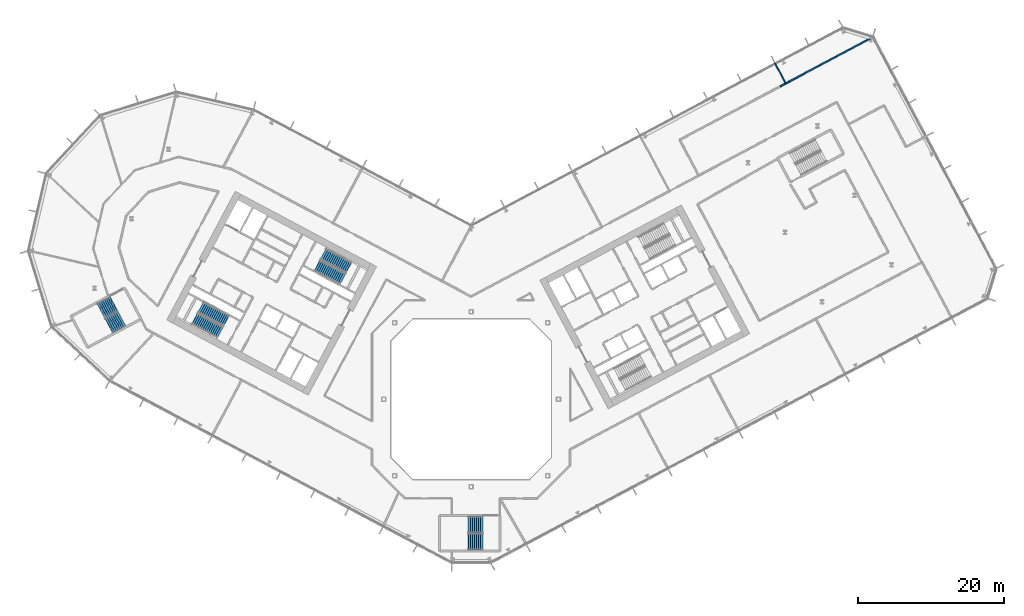
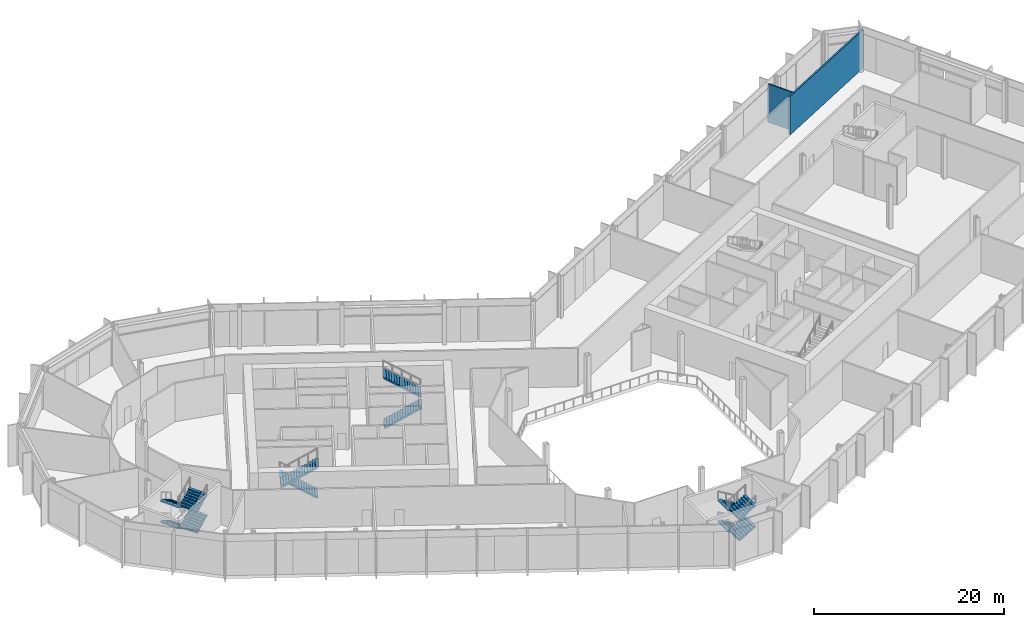
# One storey, part 17 of 31: 12 stair flights, 2 walls, 4 elements without a shape of their own.
"""IFC4 building model written with IfcOpenShell, lengths in metres."""

from ifc_helpers import new_model, si_unit, direction, frame, frame_2d, origin, place, context, subcontext, project, spatial, polyline, rectangle, outline, extrude, material, layer, layer_set, type_object, element, aggregate, save


model = new_model("IFC4")

# Units and contexts
model_context = context("Model", 3, precision=1e-05, world=origin(), true_north=direction((0.0, 1.0)))
body_context = subcontext(model_context, "Body", "Model", "MODEL_VIEW")
ifc_project = project(units=[si_unit("LENGTHUNIT", "METRE"), si_unit("AREAUNIT", "SQUARE_METRE"), si_unit("VOLUMEUNIT", "CUBIC_METRE"), si_unit("PLANEANGLEUNIT", "RADIAN"), si_unit("MASSUNIT", "GRAM", prefix="KILO")], contexts=[model_context])

# Site, building, storey
site_placement = place(None, origin())
site = spatial("IfcSite", under=ifc_project, at=site_placement, CompositionType="ELEMENT")
building_placement = place(site_placement, origin())
building = spatial("IfcBuilding", under=site, at=building_placement, Name="Cormorant Relay Tower", CompositionType="ELEMENT")
storey_placement = place(building_placement, frame((0.0, 0.0, 50.0)))
storey = spatial("IfcBuildingStorey", under=building, at=storey_placement, Name="L09", CompositionType="ELEMENT", Elevation=50.0)

# Walls
ifc_material_1 = material(Name="Fire-rated gypsum board partition")
ifc_layer_1 = layer(ifc_material_1, 0.199951171875)
ifc_layer_set_1 = layer_set([ifc_layer_1], Name="Fire-rated gypsum partition 200")
wall_type_1 = type_object("IfcWallType", Name="Fire-rated gypsum partition 200", PredefinedType="PARTITIONING", material=ifc_layer_set_1)
wall_1_placement = place(storey_placement, frame((42.426025390625, 42.945068359375, 0.0), z_axis=(0.0, 0.0, 1.0), x_axis=(0.882949550604, 0.469467880785, 0.0)))
element("IfcWall", 1, at=wall_1_placement, inside=storey, type_object=wall_type_1, Name="wall/L09/part/70", PredefinedType="PARTITIONING", context=body_context, shape_type="SweptSolid", body=[
    extrude(rectangle(XDim=14.595458984375, YDim=0.199951171875, at=frame_2d((7.2978515625, 0.0))), origin(), (0.0, 0.0, 1.0), 4.949951171875),
])
ifc_material_2 = material(Name="Gypsum board partition")
ifc_layer_2 = layer(ifc_material_2, 0.14990234375)
ifc_layer_set_2 = layer_set([ifc_layer_2], Name="Gypsum board partition 150")
wall_type_2 = type_object("IfcWallType", Name="Gypsum board partition 150", PredefinedType="PARTITIONING", material=ifc_layer_set_2)
wall_2_placement = place(storey_placement, frame((41.68603515625, 46.175048828125, 0.0), z_axis=(0.0, 0.0, 1.0), x_axis=(0.469447181805, -0.882960556025, 0.0)))
element("IfcWall", 2, at=wall_2_placement, inside=storey, type_object=wall_type_2, Name="wall/L09/part/69", PredefinedType="PARTITIONING", context=body_context, shape_type="SweptSolid", body=[
    extrude(rectangle(XDim=3.199462890625, YDim=0.14990234375, at=frame_2d((1.599609375, 0.0))), origin(), (0.0, 0.0, 1.0), 4.949951171875),
])

# Stair, stair flights
ifc_material_3 = material(Name="Concrete 40 MPa", Category="concrete")
stair_type_1 = type_object("IfcStairType", Name="Exit stair 1500", PredefinedType="HALF_TURN_STAIR", material=ifc_material_3)
stair_1_placement = place(storey_placement, origin())
stair_1 = element("IfcStair", 3, at=stair_1_placement, inside=storey, type_object=stair_type_1, Name="L09 Stair", PredefinedType="HALF_TURN_STAIR")
ifc_material_4 = material(Name="Concrete 40 MPa", Category="concrete")
stair_flight_type_1 = type_object("IfcStairFlightType", Name="Exit stair flight 1650", PredefinedType="STRAIGHT", material=ifc_material_4)
stair_flight_1_placement = place(storey_placement, frame((-21.114501953125, 18.33349609375, 0.0), z_axis=(0.0, 0.0, 1.0), x_axis=(0.882947592859, -0.469471562786, 0.0)))
stair_flight_1 = element("IfcStairFlight", 4, at=stair_flight_1_placement, type_object=stair_flight_type_1, Name="A1 flight 1", NumberOfRisers=15, NumberOfTreads=14, PredefinedType="STRAIGHT", RiserHeight=0.18, TreadLength=0.28, context=body_context, shape_type="SweptSolid", body=[
    extrude(outline(polyline([(-0.050048828125, -0.080078125), (-0.050048828125, 0.0), (0.0, 0.0), (0.0, 0.179931640625), (0.280029296875, 0.179931640625), (0.280029296875, 0.360107421875), (0.56005859375, 0.360107421875), (0.56005859375, 0.5400390625), (0.840087890625, 0.5400390625), (0.840087890625, 0.719970703125), (1.1201171875, 0.719970703125), (1.1201171875, 0.89990234375), (1.39990234375, 0.89990234375), (1.39990234375, 1.080078125), (1.679931640625, 1.080078125), (1.679931640625, 1.260009765625), (1.9599609375, 1.260009765625), (1.9599609375, 1.43994140625), (2.239990234375, 1.43994140625), (2.239990234375, 1.6201171875), (2.52001953125, 1.6201171875), (2.52001953125, 1.800048828125), (2.800048828125, 1.800048828125), (2.800048828125, 1.97998046875), (3.080078125, 1.97998046875), (3.080078125, 2.159912109375), (3.360107421875, 2.159912109375), (3.360107421875, 2.340087890625), (3.639892578125, 2.340087890625), (3.639892578125, 2.52001953125), (3.919921875, 2.52001953125), (3.969970703125, 2.52001953125), (3.969970703125, 2.341796875), (3.919921875, 2.341796875), (0.277099609375, 0.0), (-0.050048828125, -0.080078125)])), frame((0.0, 0.824951171875, 0.0), z_axis=(0.0, -1.0, 0.0), x_axis=(1.0, 0.0, 0.0)), (0.0, 0.0, 1.0), 1.64990234375),
])
stair_flight_2_placement = place(storey_placement, frame((-16.80810546875, 18.08251953125, 2.699951171875), z_axis=(0.0, 0.0, 1.0), x_axis=(-0.882947592859, 0.469471562786, 0.0)))
stair_flight_2 = element("IfcStairFlight", 5, at=stair_flight_2_placement, type_object=stair_flight_type_1, Name="A1 flight 2", NumberOfRisers=15, NumberOfTreads=14, PredefinedType="STRAIGHT", RiserHeight=0.18, TreadLength=0.28, context=body_context, shape_type="SweptSolid", body=[
    extrude(outline(polyline([(-0.050048828125, -0.080078125), (-0.050048828125, 0.0), (0.0, 0.0), (0.0, 0.179931640625), (0.280029296875, 0.179931640625), (0.280029296875, 0.360107421875), (0.56005859375, 0.360107421875), (0.56005859375, 0.5400390625), (0.840087890625, 0.5400390625), (0.840087890625, 0.719970703125), (1.1201171875, 0.719970703125), (1.1201171875, 0.89990234375), (1.39990234375, 0.89990234375), (1.39990234375, 1.080078125), (1.679931640625, 1.080078125), (1.679931640625, 1.260009765625), (1.9599609375, 1.260009765625), (1.9599609375, 1.43994140625), (2.239990234375, 1.43994140625), (2.239990234375, 1.6201171875), (2.52001953125, 1.6201171875), (2.52001953125, 1.800048828125), (2.800048828125, 1.800048828125), (2.800048828125, 1.97998046875), (3.080078125, 1.97998046875), (3.080078125, 2.159912109375), (3.360107421875, 2.159912109375), (3.360107421875, 2.340087890625), (3.639892578125, 2.340087890625), (3.639892578125, 2.52001953125), (3.919921875, 2.52001953125), (3.969970703125, 2.52001953125), (3.969970703125, 2.341796875), (3.919921875, 2.341796875), (0.277099609375, 0.0), (-0.050048828125, -0.080078125)])), frame((0.0, 0.824951171875, 0.0), z_axis=(0.0, -1.0, 0.0), x_axis=(1.0, 0.0, 0.0)), (0.0, 0.0, 1.0), 1.64990234375),
])
aggregate(stair_1, [stair_flight_1, stair_flight_2])

stair_2_placement = place(storey_placement, origin())
stair_2 = element("IfcStair", 6, at=stair_2_placement, inside=storey, type_object=stair_type_1, Name="L09 Stair", PredefinedType="HALF_TURN_STAIR")
stair_flight_3_placement = place(storey_placement, frame((-33.62841796875, 10.773681640625, 0.0), z_axis=(0.0, 0.0, 1.0), x_axis=(-0.882947592859, 0.469471562786, 0.0)))
stair_flight_3 = element("IfcStairFlight", 7, at=stair_flight_3_placement, type_object=stair_flight_type_1, Name="A2 flight 1", NumberOfRisers=15, NumberOfTreads=14, PredefinedType="STRAIGHT", RiserHeight=0.18, TreadLength=0.28, context=body_context, shape_type="SweptSolid", body=[
    extrude(outline(polyline([(-0.050048828125, -0.080078125), (-0.050048828125, 0.0), (0.0, 0.0), (0.0, 0.179931640625), (0.280029296875, 0.179931640625), (0.280029296875, 0.360107421875), (0.56005859375, 0.360107421875), (0.56005859375, 0.5400390625), (0.840087890625, 0.5400390625), (0.840087890625, 0.719970703125), (1.1201171875, 0.719970703125), (1.1201171875, 0.89990234375), (1.39990234375, 0.89990234375), (1.39990234375, 1.080078125), (1.679931640625, 1.080078125), (1.679931640625, 1.260009765625), (1.9599609375, 1.260009765625), (1.9599609375, 1.43994140625), (2.239990234375, 1.43994140625), (2.239990234375, 1.6201171875), (2.52001953125, 1.6201171875), (2.52001953125, 1.800048828125), (2.800048828125, 1.800048828125), (2.800048828125, 1.97998046875), (3.080078125, 1.97998046875), (3.080078125, 2.159912109375), (3.360107421875, 2.159912109375), (3.360107421875, 2.340087890625), (3.639892578125, 2.340087890625), (3.639892578125, 2.52001953125), (3.919921875, 2.52001953125), (3.969970703125, 2.52001953125), (3.969970703125, 2.341796875), (3.919921875, 2.341796875), (0.277099609375, 0.0), (-0.050048828125, -0.080078125)])), frame((0.0, 0.824951171875, 0.0), z_axis=(0.0, -1.0, 0.0), x_axis=(1.0, 0.0, 0.0)), (0.0, 0.0, 1.0), 1.64990234375),
])
stair_flight_4_placement = place(storey_placement, frame((-37.9345703125, 11.024658203125, 2.699951171875), z_axis=(0.0, 0.0, 1.0), x_axis=(0.882947592859, -0.469471562786, 0.0)))
stair_flight_4 = element("IfcStairFlight", 8, at=stair_flight_4_placement, type_object=stair_flight_type_1, Name="A2 flight 2", NumberOfRisers=15, NumberOfTreads=14, PredefinedType="STRAIGHT", RiserHeight=0.18, TreadLength=0.28, context=body_context, shape_type="SweptSolid", body=[
    extrude(outline(polyline([(-0.050048828125, -0.080078125), (-0.050048828125, 0.0), (0.0, 0.0), (0.0, 0.179931640625), (0.280029296875, 0.179931640625), (0.280029296875, 0.360107421875), (0.56005859375, 0.360107421875), (0.56005859375, 0.5400390625), (0.840087890625, 0.5400390625), (0.840087890625, 0.719970703125), (1.1201171875, 0.719970703125), (1.1201171875, 0.89990234375), (1.39990234375, 0.89990234375), (1.39990234375, 1.080078125), (1.679931640625, 1.080078125), (1.679931640625, 1.260009765625), (1.9599609375, 1.260009765625), (1.9599609375, 1.43994140625), (2.239990234375, 1.43994140625), (2.239990234375, 1.6201171875), (2.52001953125, 1.6201171875), (2.52001953125, 1.800048828125), (2.800048828125, 1.800048828125), (2.800048828125, 1.97998046875), (3.080078125, 1.97998046875), (3.080078125, 2.159912109375), (3.360107421875, 2.159912109375), (3.360107421875, 2.340087890625), (3.639892578125, 2.340087890625), (3.639892578125, 2.52001953125), (3.919921875, 2.52001953125), (3.969970703125, 2.52001953125), (3.969970703125, 2.341796875), (3.919921875, 2.341796875), (0.277099609375, 0.0), (-0.050048828125, -0.080078125)])), frame((0.0, 0.824951171875, 0.0), z_axis=(0.0, -1.0, 0.0), x_axis=(1.0, 0.0, 0.0)), (0.0, 0.0, 1.0), 1.64990234375),
])
aggregate(stair_2, [stair_flight_3, stair_flight_4])

ifc_material_5 = material(Name="Concrete 40 MPa", Category="concrete")
stair_type_2 = type_object("IfcStairType", Name="Remote exit stair 2200", PredefinedType="HALF_TURN_STAIR", material=ifc_material_5)
stair_3_placement = place(storey_placement, origin())
stair_3 = element("IfcStair", 9, at=stair_3_placement, inside=storey, type_object=stair_type_2, Name="L09 Stair", PredefinedType="HALF_TURN_STAIR")
ifc_material_6 = material(Name="Concrete 40 MPa", Category="concrete")
stair_flight_type_2 = type_object("IfcStairFlightType", Name="Remote exit stair flight 2200", PredefinedType="STRAIGHT", material=ifc_material_6)
stair_flight_5_placement = place(storey_placement, frame((1.60009765625, -17.22509765625, 0.0), z_axis=(0.0, 0.0, 1.0), x_axis=(-1.0, 0.0, 0.0)))
stair_flight_5 = element("IfcStairFlight", 10, at=stair_flight_5_placement, type_object=stair_flight_type_2, Name="RK1 flight 1", NumberOfRisers=8, NumberOfTreads=7, PredefinedType="STRAIGHT", RiserHeight=0.16875, TreadLength=0.28, context=body_context, shape_type="SweptSolid", body=[
    extrude(outline(polyline([(-0.050048828125, -0.080078125), (-0.050048828125, 0.0), (0.0, 0.0), (0.0, 0.168701171875), (0.280029296875, 0.168701171875), (0.280029296875, 0.33740234375), (0.56005859375, 0.33740234375), (0.56005859375, 0.50634765625), (0.840087890625, 0.50634765625), (0.840087890625, 0.675048828125), (1.1201171875, 0.675048828125), (1.1201171875, 0.84375), (1.39990234375, 0.84375), (1.39990234375, 1.012451171875), (1.679931640625, 1.012451171875), (1.679931640625, 1.18115234375), (1.9599609375, 1.18115234375), (2.010009765625, 1.18115234375), (2.010009765625, 1.00634765625), (1.9599609375, 1.00634765625), (0.29052734375, 0.0), (-0.050048828125, -0.080078125)])), frame((0.0, 1.10009765625, 0.0), z_axis=(0.0, -1.0, 0.0), x_axis=(1.0, 0.0, 0.0)), (0.0, 0.0, 1.0), 0.719970703125),
    extrude(outline(polyline([(-0.050048828125, -0.080078125), (-0.050048828125, 0.0), (0.0, 0.0), (0.0, 0.168701171875), (0.280029296875, 0.168701171875), (0.280029296875, 0.33740234375), (0.56005859375, 0.33740234375), (0.56005859375, 0.50634765625), (0.840087890625, 0.50634765625), (0.840087890625, 0.675048828125), (1.1201171875, 0.675048828125), (1.1201171875, 0.84375), (1.39990234375, 0.84375), (1.39990234375, 1.012451171875), (1.679931640625, 1.012451171875), (1.679931640625, 1.18115234375), (1.9599609375, 1.18115234375), (2.010009765625, 1.18115234375), (2.010009765625, 1.00634765625), (1.9599609375, 1.00634765625), (0.29052734375, 0.0), (-0.050048828125, -0.080078125)])), frame((0.0, 0.360107421875, 0.0), z_axis=(0.0, -1.0, 0.0), x_axis=(1.0, 0.0, 0.0)), (0.0, 0.0, 1.0), 0.719970703125),
    extrude(outline(polyline([(-0.050048828125, -0.080078125), (-0.050048828125, 0.0), (0.0, 0.0), (0.0, 0.168701171875), (0.280029296875, 0.168701171875), (0.280029296875, 0.33740234375), (0.56005859375, 0.33740234375), (0.56005859375, 0.50634765625), (0.840087890625, 0.50634765625), (0.840087890625, 0.675048828125), (1.1201171875, 0.675048828125), (1.1201171875, 0.84375), (1.39990234375, 0.84375), (1.39990234375, 1.012451171875), (1.679931640625, 1.012451171875), (1.679931640625, 1.18115234375), (1.9599609375, 1.18115234375), (2.010009765625, 1.18115234375), (2.010009765625, 1.00634765625), (1.9599609375, 1.00634765625), (0.29052734375, 0.0), (-0.050048828125, -0.080078125)])), frame((0.0, -0.3798828125, 0.0), z_axis=(0.0, -1.0, 0.0), x_axis=(1.0, 0.0, 0.0)), (0.0, 0.0, 1.0), 0.719970703125),
])
stair_flight_6_placement = place(storey_placement, frame((-0.360107421875, -19.574951171875, 1.35009765625), z_axis=(0.0, 0.0, 1.0), x_axis=(1.0, 0.0, 0.0)))
stair_flight_6 = element("IfcStairFlight", 11, at=stair_flight_6_placement, type_object=stair_flight_type_2, Name="RK1 flight 2", NumberOfRisers=8, NumberOfTreads=7, PredefinedType="STRAIGHT", RiserHeight=0.16875, TreadLength=0.28, context=body_context, shape_type="SweptSolid", body=[
    extrude(outline(polyline([(-0.050048828125, -0.080078125), (-0.050048828125, 0.0), (0.0, 0.0), (0.0, 0.168701171875), (0.280029296875, 0.168701171875), (0.280029296875, 0.33740234375), (0.56005859375, 0.33740234375), (0.56005859375, 0.50634765625), (0.840087890625, 0.50634765625), (0.840087890625, 0.675048828125), (1.1201171875, 0.675048828125), (1.1201171875, 0.84375), (1.39990234375, 0.84375), (1.39990234375, 1.012451171875), (1.679931640625, 1.012451171875), (1.679931640625, 1.18115234375), (1.9599609375, 1.18115234375), (2.010009765625, 1.18115234375), (2.010009765625, 1.00634765625), (1.9599609375, 1.00634765625), (0.29052734375, 0.0), (-0.050048828125, -0.080078125)])), frame((0.0, 1.10009765625, 0.0), z_axis=(0.0, -1.0, 0.0), x_axis=(1.0, 0.0, 0.0)), (0.0, 0.0, 1.0), 0.719970703125),
    extrude(outline(polyline([(-0.050048828125, -0.080078125), (-0.050048828125, 0.0), (0.0, 0.0), (0.0, 0.168701171875), (0.280029296875, 0.168701171875), (0.280029296875, 0.33740234375), (0.56005859375, 0.33740234375), (0.56005859375, 0.50634765625), (0.840087890625, 0.50634765625), (0.840087890625, 0.675048828125), (1.1201171875, 0.675048828125), (1.1201171875, 0.84375), (1.39990234375, 0.84375), (1.39990234375, 1.012451171875), (1.679931640625, 1.012451171875), (1.679931640625, 1.18115234375), (1.9599609375, 1.18115234375), (2.010009765625, 1.18115234375), (2.010009765625, 1.00634765625), (1.9599609375, 1.00634765625), (0.29052734375, 0.0), (-0.050048828125, -0.080078125)])), frame((0.0, 0.360107421875, 0.0), z_axis=(0.0, -1.0, 0.0), x_axis=(1.0, 0.0, 0.0)), (0.0, 0.0, 1.0), 0.719970703125),
    extrude(outline(polyline([(-0.050048828125, -0.080078125), (-0.050048828125, 0.0), (0.0, 0.0), (0.0, 0.168701171875), (0.280029296875, 0.168701171875), (0.280029296875, 0.33740234375), (0.56005859375, 0.33740234375), (0.56005859375, 0.50634765625), (0.840087890625, 0.50634765625), (0.840087890625, 0.675048828125), (1.1201171875, 0.675048828125), (1.1201171875, 0.84375), (1.39990234375, 0.84375), (1.39990234375, 1.012451171875), (1.679931640625, 1.012451171875), (1.679931640625, 1.18115234375), (1.9599609375, 1.18115234375), (2.010009765625, 1.18115234375), (2.010009765625, 1.00634765625), (1.9599609375, 1.00634765625), (0.29052734375, 0.0), (-0.050048828125, -0.080078125)])), frame((0.0, -0.3798828125, 0.0), z_axis=(0.0, -1.0, 0.0), x_axis=(1.0, 0.0, 0.0)), (0.0, 0.0, 1.0), 0.719970703125),
])
stair_flight_7_placement = place(storey_placement, frame((1.60009765625, -17.22509765625, 2.699951171875), z_axis=(0.0, 0.0, 1.0), x_axis=(-1.0, 0.0, 0.0)))
stair_flight_7 = element("IfcStairFlight", 12, at=stair_flight_7_placement, type_object=stair_flight_type_2, Name="RK1 flight 3", NumberOfRisers=8, NumberOfTreads=7, PredefinedType="STRAIGHT", RiserHeight=0.16875, TreadLength=0.28, context=body_context, shape_type="SweptSolid", body=[
    extrude(outline(polyline([(-0.050048828125, -0.080078125), (-0.050048828125, 0.0), (0.0, 0.0), (0.0, 0.168701171875), (0.280029296875, 0.168701171875), (0.280029296875, 0.33740234375), (0.56005859375, 0.33740234375), (0.56005859375, 0.50634765625), (0.840087890625, 0.50634765625), (0.840087890625, 0.675048828125), (1.1201171875, 0.675048828125), (1.1201171875, 0.84375), (1.39990234375, 0.84375), (1.39990234375, 1.012451171875), (1.679931640625, 1.012451171875), (1.679931640625, 1.18115234375), (1.9599609375, 1.18115234375), (2.010009765625, 1.18115234375), (2.010009765625, 1.00634765625), (1.9599609375, 1.00634765625), (0.29052734375, 0.0), (-0.050048828125, -0.080078125)])), frame((0.0, 1.10009765625, 0.0), z_axis=(0.0, -1.0, 0.0), x_axis=(1.0, 0.0, 0.0)), (0.0, 0.0, 1.0), 0.719970703125),
    extrude(outline(polyline([(-0.050048828125, -0.080078125), (-0.050048828125, 0.0), (0.0, 0.0), (0.0, 0.168701171875), (0.280029296875, 0.168701171875), (0.280029296875, 0.33740234375), (0.56005859375, 0.33740234375), (0.56005859375, 0.50634765625), (0.840087890625, 0.50634765625), (0.840087890625, 0.675048828125), (1.1201171875, 0.675048828125), (1.1201171875, 0.84375), (1.39990234375, 0.84375), (1.39990234375, 1.012451171875), (1.679931640625, 1.012451171875), (1.679931640625, 1.18115234375), (1.9599609375, 1.18115234375), (2.010009765625, 1.18115234375), (2.010009765625, 1.00634765625), (1.9599609375, 1.00634765625), (0.29052734375, 0.0), (-0.050048828125, -0.080078125)])), frame((0.0, 0.360107421875, 0.0), z_axis=(0.0, -1.0, 0.0), x_axis=(1.0, 0.0, 0.0)), (0.0, 0.0, 1.0), 0.719970703125),
    extrude(outline(polyline([(-0.050048828125, -0.080078125), (-0.050048828125, 0.0), (0.0, 0.0), (0.0, 0.168701171875), (0.280029296875, 0.168701171875), (0.280029296875, 0.33740234375), (0.56005859375, 0.33740234375), (0.56005859375, 0.50634765625), (0.840087890625, 0.50634765625), (0.840087890625, 0.675048828125), (1.1201171875, 0.675048828125), (1.1201171875, 0.84375), (1.39990234375, 0.84375), (1.39990234375, 1.012451171875), (1.679931640625, 1.012451171875), (1.679931640625, 1.18115234375), (1.9599609375, 1.18115234375), (2.010009765625, 1.18115234375), (2.010009765625, 1.00634765625), (1.9599609375, 1.00634765625), (0.29052734375, 0.0), (-0.050048828125, -0.080078125)])), frame((0.0, -0.3798828125, 0.0), z_axis=(0.0, -1.0, 0.0), x_axis=(1.0, 0.0, 0.0)), (0.0, 0.0, 1.0), 0.719970703125),
])
stair_flight_8_placement = place(storey_placement, frame((-0.360107421875, -19.574951171875, 4.050048828125), z_axis=(0.0, 0.0, 1.0), x_axis=(1.0, 0.0, 0.0)))
stair_flight_8 = element("IfcStairFlight", 13, at=stair_flight_8_placement, type_object=stair_flight_type_2, Name="RK1 flight 4", NumberOfRisers=8, NumberOfTreads=7, PredefinedType="STRAIGHT", RiserHeight=0.16875, TreadLength=0.28, context=body_context, shape_type="SweptSolid", body=[
    extrude(outline(polyline([(-0.050048828125, -0.080078125), (-0.050048828125, 0.0), (0.0, 0.0), (0.0, 0.168701171875), (0.280029296875, 0.168701171875), (0.280029296875, 0.33740234375), (0.56005859375, 0.33740234375), (0.56005859375, 0.50634765625), (0.840087890625, 0.50634765625), (0.840087890625, 0.675048828125), (1.1201171875, 0.675048828125), (1.1201171875, 0.84375), (1.39990234375, 0.84375), (1.39990234375, 1.012451171875), (1.679931640625, 1.012451171875), (1.679931640625, 1.18115234375), (1.9599609375, 1.18115234375), (2.010009765625, 1.18115234375), (2.010009765625, 1.00634765625), (1.9599609375, 1.00634765625), (0.29052734375, 0.0), (-0.050048828125, -0.080078125)])), frame((0.0, 1.10009765625, 0.0), z_axis=(0.0, -1.0, 0.0), x_axis=(1.0, 0.0, 0.0)), (0.0, 0.0, 1.0), 0.719970703125),
    extrude(outline(polyline([(-0.050048828125, -0.080078125), (-0.050048828125, 0.0), (0.0, 0.0), (0.0, 0.168701171875), (0.280029296875, 0.168701171875), (0.280029296875, 0.33740234375), (0.56005859375, 0.33740234375), (0.56005859375, 0.50634765625), (0.840087890625, 0.50634765625), (0.840087890625, 0.675048828125), (1.1201171875, 0.675048828125), (1.1201171875, 0.84375), (1.39990234375, 0.84375), (1.39990234375, 1.012451171875), (1.679931640625, 1.012451171875), (1.679931640625, 1.18115234375), (1.9599609375, 1.18115234375), (2.010009765625, 1.18115234375), (2.010009765625, 1.00634765625), (1.9599609375, 1.00634765625), (0.29052734375, 0.0), (-0.050048828125, -0.080078125)])), frame((0.0, 0.360107421875, 0.0), z_axis=(0.0, -1.0, 0.0), x_axis=(1.0, 0.0, 0.0)), (0.0, 0.0, 1.0), 0.719970703125),
    extrude(outline(polyline([(-0.050048828125, -0.080078125), (-0.050048828125, 0.0), (0.0, 0.0), (0.0, 0.168701171875), (0.280029296875, 0.168701171875), (0.280029296875, 0.33740234375), (0.56005859375, 0.33740234375), (0.56005859375, 0.50634765625), (0.840087890625, 0.50634765625), (0.840087890625, 0.675048828125), (1.1201171875, 0.675048828125), (1.1201171875, 0.84375), (1.39990234375, 0.84375), (1.39990234375, 1.012451171875), (1.679931640625, 1.012451171875), (1.679931640625, 1.18115234375), (1.9599609375, 1.18115234375), (2.010009765625, 1.18115234375), (2.010009765625, 1.00634765625), (1.9599609375, 1.00634765625), (0.29052734375, 0.0), (-0.050048828125, -0.080078125)])), frame((0.0, -0.3798828125, 0.0), z_axis=(0.0, -1.0, 0.0), x_axis=(1.0, 0.0, 0.0)), (0.0, 0.0, 1.0), 0.719970703125),
])
aggregate(stair_3, [stair_flight_5, stair_flight_6, stair_flight_7, stair_flight_8])

stair_4_placement = place(storey_placement, origin())
stair_4 = element("IfcStair", 14, at=stair_4_placement, inside=storey, type_object=stair_type_2, Name="L09 Stair", PredefinedType="HALF_TURN_STAIR")
stair_flight_9_placement = place(storey_placement, frame((-49.062255859375, 13.08251953125, 0.0), z_axis=(0.0, 0.0, 1.0), x_axis=(-0.882947502727, -0.4694717323, 0.0)))
stair_flight_9 = element("IfcStairFlight", 15, at=stair_flight_9_placement, type_object=stair_flight_type_2, Name="RP1 flight 1", NumberOfRisers=8, NumberOfTreads=7, PredefinedType="STRAIGHT", RiserHeight=0.16875, TreadLength=0.28, context=body_context, shape_type="SweptSolid", body=[
    extrude(outline(polyline([(-0.050048828125, -0.080078125), (-0.050048828125, 0.0), (0.0, 0.0), (0.0, 0.168701171875), (0.280029296875, 0.168701171875), (0.280029296875, 0.33740234375), (0.56005859375, 0.33740234375), (0.56005859375, 0.50634765625), (0.840087890625, 0.50634765625), (0.840087890625, 0.675048828125), (1.1201171875, 0.675048828125), (1.1201171875, 0.84375), (1.39990234375, 0.84375), (1.39990234375, 1.012451171875), (1.679931640625, 1.012451171875), (1.679931640625, 1.18115234375), (1.9599609375, 1.18115234375), (2.010009765625, 1.18115234375), (2.010009765625, 1.00634765625), (1.9599609375, 1.00634765625), (0.29052734375, 0.0), (-0.050048828125, -0.080078125)])), frame((0.0, 1.10009765625, 0.0), z_axis=(0.0, -1.0, 0.0), x_axis=(1.0, 0.0, 0.0)), (0.0, 0.0, 1.0), 0.719970703125),
    extrude(outline(polyline([(-0.050048828125, -0.080078125), (-0.050048828125, 0.0), (0.0, 0.0), (0.0, 0.168701171875), (0.280029296875, 0.168701171875), (0.280029296875, 0.33740234375), (0.56005859375, 0.33740234375), (0.56005859375, 0.50634765625), (0.840087890625, 0.50634765625), (0.840087890625, 0.675048828125), (1.1201171875, 0.675048828125), (1.1201171875, 0.84375), (1.39990234375, 0.84375), (1.39990234375, 1.012451171875), (1.679931640625, 1.012451171875), (1.679931640625, 1.18115234375), (1.9599609375, 1.18115234375), (2.010009765625, 1.18115234375), (2.010009765625, 1.00634765625), (1.9599609375, 1.00634765625), (0.29052734375, 0.0), (-0.050048828125, -0.080078125)])), frame((0.0, 0.360107421875, 0.0), z_axis=(0.0, -1.0, 0.0), x_axis=(1.0, 0.0, 0.0)), (0.0, 0.0, 1.0), 0.719970703125),
    extrude(outline(polyline([(-0.050048828125, -0.080078125), (-0.050048828125, 0.0), (0.0, 0.0), (0.0, 0.168701171875), (0.280029296875, 0.168701171875), (0.280029296875, 0.33740234375), (0.56005859375, 0.33740234375), (0.56005859375, 0.50634765625), (0.840087890625, 0.50634765625), (0.840087890625, 0.675048828125), (1.1201171875, 0.675048828125), (1.1201171875, 0.84375), (1.39990234375, 0.84375), (1.39990234375, 1.012451171875), (1.679931640625, 1.012451171875), (1.679931640625, 1.18115234375), (1.9599609375, 1.18115234375), (2.010009765625, 1.18115234375), (2.010009765625, 1.00634765625), (1.9599609375, 1.00634765625), (0.29052734375, 0.0), (-0.050048828125, -0.080078125)])), frame((0.0, -0.3798828125, 0.0), z_axis=(0.0, -1.0, 0.0), x_axis=(1.0, 0.0, 0.0)), (0.0, 0.0, 1.0), 0.719970703125),
])
stair_flight_10_placement = place(storey_placement, frame((-49.689697265625, 10.08740234375, 1.35009765625), z_axis=(0.0, 0.0, 1.0), x_axis=(0.882947502727, 0.4694717323, 0.0)))
stair_flight_10 = element("IfcStairFlight", 16, at=stair_flight_10_placement, type_object=stair_flight_type_2, Name="RP1 flight 2", NumberOfRisers=8, NumberOfTreads=7, PredefinedType="STRAIGHT", RiserHeight=0.16875, TreadLength=0.28, context=body_context, shape_type="SweptSolid", body=[
    extrude(outline(polyline([(-0.050048828125, -0.080078125), (-0.050048828125, 0.0), (0.0, 0.0), (0.0, 0.168701171875), (0.280029296875, 0.168701171875), (0.280029296875, 0.33740234375), (0.56005859375, 0.33740234375), (0.56005859375, 0.50634765625), (0.840087890625, 0.50634765625), (0.840087890625, 0.675048828125), (1.1201171875, 0.675048828125), (1.1201171875, 0.84375), (1.39990234375, 0.84375), (1.39990234375, 1.012451171875), (1.679931640625, 1.012451171875), (1.679931640625, 1.18115234375), (1.9599609375, 1.18115234375), (2.010009765625, 1.18115234375), (2.010009765625, 1.00634765625), (1.9599609375, 1.00634765625), (0.29052734375, 0.0), (-0.050048828125, -0.080078125)])), frame((0.0, 1.10009765625, 0.0), z_axis=(0.0, -1.0, 0.0), x_axis=(1.0, 0.0, 0.0)), (0.0, 0.0, 1.0), 0.719970703125),
    extrude(outline(polyline([(-0.050048828125, -0.080078125), (-0.050048828125, 0.0), (0.0, 0.0), (0.0, 0.168701171875), (0.280029296875, 0.168701171875), (0.280029296875, 0.33740234375), (0.56005859375, 0.33740234375), (0.56005859375, 0.50634765625), (0.840087890625, 0.50634765625), (0.840087890625, 0.675048828125), (1.1201171875, 0.675048828125), (1.1201171875, 0.84375), (1.39990234375, 0.84375), (1.39990234375, 1.012451171875), (1.679931640625, 1.012451171875), (1.679931640625, 1.18115234375), (1.9599609375, 1.18115234375), (2.010009765625, 1.18115234375), (2.010009765625, 1.00634765625), (1.9599609375, 1.00634765625), (0.29052734375, 0.0), (-0.050048828125, -0.080078125)])), frame((0.0, 0.360107421875, 0.0), z_axis=(0.0, -1.0, 0.0), x_axis=(1.0, 0.0, 0.0)), (0.0, 0.0, 1.0), 0.719970703125),
    extrude(outline(polyline([(-0.050048828125, -0.080078125), (-0.050048828125, 0.0), (0.0, 0.0), (0.0, 0.168701171875), (0.280029296875, 0.168701171875), (0.280029296875, 0.33740234375), (0.56005859375, 0.33740234375), (0.56005859375, 0.50634765625), (0.840087890625, 0.50634765625), (0.840087890625, 0.675048828125), (1.1201171875, 0.675048828125), (1.1201171875, 0.84375), (1.39990234375, 0.84375), (1.39990234375, 1.012451171875), (1.679931640625, 1.012451171875), (1.679931640625, 1.18115234375), (1.9599609375, 1.18115234375), (2.010009765625, 1.18115234375), (2.010009765625, 1.00634765625), (1.9599609375, 1.00634765625), (0.29052734375, 0.0), (-0.050048828125, -0.080078125)])), frame((0.0, -0.3798828125, 0.0), z_axis=(0.0, -1.0, 0.0), x_axis=(1.0, 0.0, 0.0)), (0.0, 0.0, 1.0), 0.719970703125),
])
stair_flight_11_placement = place(storey_placement, frame((-49.062255859375, 13.08251953125, 2.699951171875), z_axis=(0.0, 0.0, 1.0), x_axis=(-0.882947502727, -0.4694717323, 0.0)))
stair_flight_11 = element("IfcStairFlight", 17, at=stair_flight_11_placement, type_object=stair_flight_type_2, Name="RP1 flight 3", NumberOfRisers=8, NumberOfTreads=7, PredefinedType="STRAIGHT", RiserHeight=0.16875, TreadLength=0.28, context=body_context, shape_type="SweptSolid", body=[
    extrude(outline(polyline([(-0.050048828125, -0.080078125), (-0.050048828125, 0.0), (0.0, 0.0), (0.0, 0.168701171875), (0.280029296875, 0.168701171875), (0.280029296875, 0.33740234375), (0.56005859375, 0.33740234375), (0.56005859375, 0.50634765625), (0.840087890625, 0.50634765625), (0.840087890625, 0.675048828125), (1.1201171875, 0.675048828125), (1.1201171875, 0.84375), (1.39990234375, 0.84375), (1.39990234375, 1.012451171875), (1.679931640625, 1.012451171875), (1.679931640625, 1.18115234375), (1.9599609375, 1.18115234375), (2.010009765625, 1.18115234375), (2.010009765625, 1.00634765625), (1.9599609375, 1.00634765625), (0.29052734375, 0.0), (-0.050048828125, -0.080078125)])), frame((0.0, 1.10009765625, 0.0), z_axis=(0.0, -1.0, 0.0), x_axis=(1.0, 0.0, 0.0)), (0.0, 0.0, 1.0), 0.719970703125),
    extrude(outline(polyline([(-0.050048828125, -0.080078125), (-0.050048828125, 0.0), (0.0, 0.0), (0.0, 0.168701171875), (0.280029296875, 0.168701171875), (0.280029296875, 0.33740234375), (0.56005859375, 0.33740234375), (0.56005859375, 0.50634765625), (0.840087890625, 0.50634765625), (0.840087890625, 0.675048828125), (1.1201171875, 0.675048828125), (1.1201171875, 0.84375), (1.39990234375, 0.84375), (1.39990234375, 1.012451171875), (1.679931640625, 1.012451171875), (1.679931640625, 1.18115234375), (1.9599609375, 1.18115234375), (2.010009765625, 1.18115234375), (2.010009765625, 1.00634765625), (1.9599609375, 1.00634765625), (0.29052734375, 0.0), (-0.050048828125, -0.080078125)])), frame((0.0, 0.360107421875, 0.0), z_axis=(0.0, -1.0, 0.0), x_axis=(1.0, 0.0, 0.0)), (0.0, 0.0, 1.0), 0.719970703125),
    extrude(outline(polyline([(-0.050048828125, -0.080078125), (-0.050048828125, 0.0), (0.0, 0.0), (0.0, 0.168701171875), (0.280029296875, 0.168701171875), (0.280029296875, 0.33740234375), (0.56005859375, 0.33740234375), (0.56005859375, 0.50634765625), (0.840087890625, 0.50634765625), (0.840087890625, 0.675048828125), (1.1201171875, 0.675048828125), (1.1201171875, 0.84375), (1.39990234375, 0.84375), (1.39990234375, 1.012451171875), (1.679931640625, 1.012451171875), (1.679931640625, 1.18115234375), (1.9599609375, 1.18115234375), (2.010009765625, 1.18115234375), (2.010009765625, 1.00634765625), (1.9599609375, 1.00634765625), (0.29052734375, 0.0), (-0.050048828125, -0.080078125)])), frame((0.0, -0.3798828125, 0.0), z_axis=(0.0, -1.0, 0.0), x_axis=(1.0, 0.0, 0.0)), (0.0, 0.0, 1.0), 0.719970703125),
])
stair_flight_12_placement = place(storey_placement, frame((-49.689697265625, 10.08740234375, 4.050048828125), z_axis=(0.0, 0.0, 1.0), x_axis=(0.882947502727, 0.4694717323, 0.0)))
stair_flight_12 = element("IfcStairFlight", 18, at=stair_flight_12_placement, type_object=stair_flight_type_2, Name="RP1 flight 4", NumberOfRisers=8, NumberOfTreads=7, PredefinedType="STRAIGHT", RiserHeight=0.16875, TreadLength=0.28, context=body_context, shape_type="SweptSolid", body=[
    extrude(outline(polyline([(-0.050048828125, -0.080078125), (-0.050048828125, 0.0), (0.0, 0.0), (0.0, 0.168701171875), (0.280029296875, 0.168701171875), (0.280029296875, 0.33740234375), (0.56005859375, 0.33740234375), (0.56005859375, 0.50634765625), (0.840087890625, 0.50634765625), (0.840087890625, 0.675048828125), (1.1201171875, 0.675048828125), (1.1201171875, 0.84375), (1.39990234375, 0.84375), (1.39990234375, 1.012451171875), (1.679931640625, 1.012451171875), (1.679931640625, 1.18115234375), (1.9599609375, 1.18115234375), (2.010009765625, 1.18115234375), (2.010009765625, 1.00634765625), (1.9599609375, 1.00634765625), (0.29052734375, 0.0), (-0.050048828125, -0.080078125)])), frame((0.0, 1.10009765625, 0.0), z_axis=(0.0, -1.0, 0.0), x_axis=(1.0, 0.0, 0.0)), (0.0, 0.0, 1.0), 0.719970703125),
    extrude(outline(polyline([(-0.050048828125, -0.080078125), (-0.050048828125, 0.0), (0.0, 0.0), (0.0, 0.168701171875), (0.280029296875, 0.168701171875), (0.280029296875, 0.33740234375), (0.56005859375, 0.33740234375), (0.56005859375, 0.50634765625), (0.840087890625, 0.50634765625), (0.840087890625, 0.675048828125), (1.1201171875, 0.675048828125), (1.1201171875, 0.84375), (1.39990234375, 0.84375), (1.39990234375, 1.012451171875), (1.679931640625, 1.012451171875), (1.679931640625, 1.18115234375), (1.9599609375, 1.18115234375), (2.010009765625, 1.18115234375), (2.010009765625, 1.00634765625), (1.9599609375, 1.00634765625), (0.29052734375, 0.0), (-0.050048828125, -0.080078125)])), frame((0.0, 0.360107421875, 0.0), z_axis=(0.0, -1.0, 0.0), x_axis=(1.0, 0.0, 0.0)), (0.0, 0.0, 1.0), 0.719970703125),
    extrude(outline(polyline([(-0.050048828125, -0.080078125), (-0.050048828125, 0.0), (0.0, 0.0), (0.0, 0.168701171875), (0.280029296875, 0.168701171875), (0.280029296875, 0.33740234375), (0.56005859375, 0.33740234375), (0.56005859375, 0.50634765625), (0.840087890625, 0.50634765625), (0.840087890625, 0.675048828125), (1.1201171875, 0.675048828125), (1.1201171875, 0.84375), (1.39990234375, 0.84375), (1.39990234375, 1.012451171875), (1.679931640625, 1.012451171875), (1.679931640625, 1.18115234375), (1.9599609375, 1.18115234375), (2.010009765625, 1.18115234375), (2.010009765625, 1.00634765625), (1.9599609375, 1.00634765625), (0.29052734375, 0.0), (-0.050048828125, -0.080078125)])), frame((0.0, -0.3798828125, 0.0), z_axis=(0.0, -1.0, 0.0), x_axis=(1.0, 0.0, 0.0)), (0.0, 0.0, 1.0), 0.719970703125),
])
aggregate(stair_4, [stair_flight_9, stair_flight_10, stair_flight_11, stair_flight_12])

save(model, "model.ifc")
